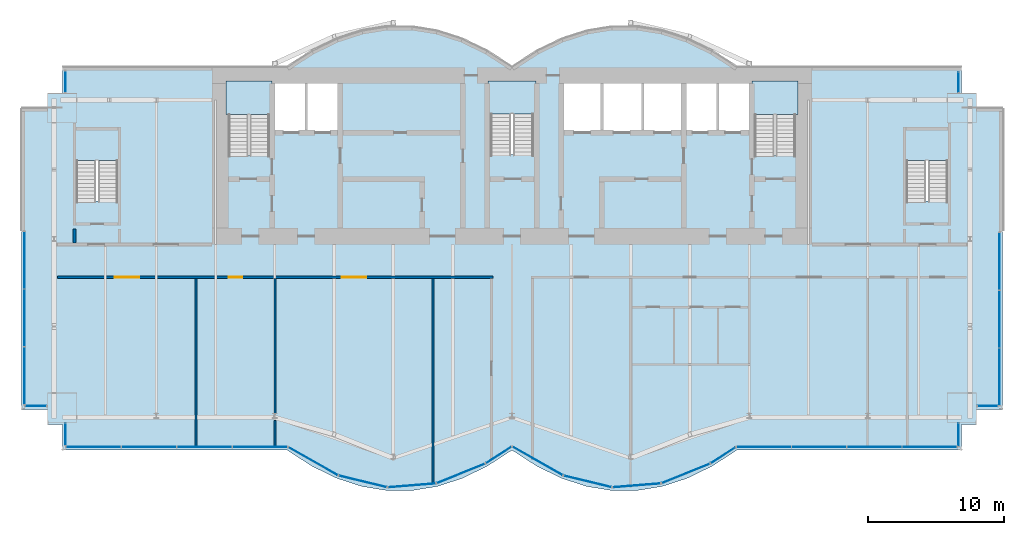
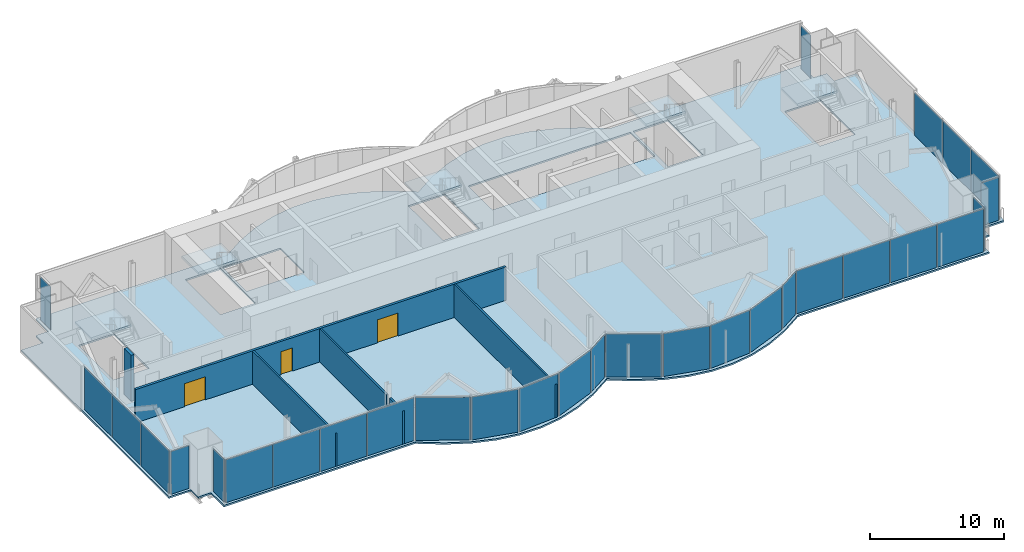
# One storey, part 12 of 19: 30 plates, 6 slabs, 6 walls, 3 doors, 3 openings, 17 elements without a shape of their own.
"""IFC4 building model written with IfcOpenShell, lengths in metres."""

import ifcopenshell
import ifcopenshell.guid

model = None  # the IFC model being written
_history = None  # IfcOwnerHistory: only IFC2X3 demands one
_inside = {}  # id of a spatial element -> (the spatial element, [elements in it])
_under = {}  # id of a project, library or spatial element -> (it, [spatial elements below it])
_declared = {}  # id of a project -> (the project, [libraries it declares])
_typed = {}  # id of a type object -> (the type object, [elements of that type])
_made_of = {}  # id of a material, layer set ... -> (it, [elements and type objects made of it])


def new_model(schema):
    """Start an empty IFC model of exactly this schema.

    Asked for "IFC4X3", IfcOpenShell would pick the latest addendum, in which some entities
    have other attributes; the version numbers below select the first issue.
    IFC2X3 requires an IfcOwnerHistory on every rooted entity: one is made here for all.
    """
    global model, _history
    if schema == "IFC4X3":
        model = ifcopenshell.file(schema_version=(4, 3, 0, 0))
    else:
        model = ifcopenshell.file(schema=schema)
    _inside.clear()
    _under.clear()
    _declared.clear()
    _typed.clear()
    _made_of.clear()
    _history = None
    if model.schema == "IFC2X3":
        org = make("IfcOrganization", Name="unknown")
        user = make(
            "IfcPersonAndOrganization",
            ThePerson=make("IfcPerson", FamilyName="unknown"),
            TheOrganization=org,
        )
        app = make(
            "IfcApplication",
            ApplicationDeveloper=org,
            Version="unknown",
            ApplicationFullName="unknown",
            ApplicationIdentifier="unknown",
        )
        _history = make(
            "IfcOwnerHistory",
            OwningUser=user,
            OwningApplication=app,
            ChangeAction="ADDED",
            CreationDate=0,
        )
    return model


def make(cls, **values):
    """One entity of the class cls with the attributes given. An attribute that is None is left unset."""
    return model.create_entity(
        cls, **{name: value for name, value in values.items() if value is not None}
    )


def rooted(cls, **values):
    """An entity with a GlobalId (a new one), such as an element, a storey or a relation."""
    return make(cls, GlobalId=ifcopenshell.guid.new(), OwnerHistory=_history, **values)


def si_unit(unit_type, name, prefix=None):
    """IfcSIUnit, for example si_unit("LENGTHUNIT", "METRE", prefix="MILLI")."""
    return make("IfcSIUnit", UnitType=unit_type, Prefix=prefix, Name=name)


def assignment(units):
    """IfcUnitAssignment: the units of a project."""
    return None if units is None else make("IfcUnitAssignment", Units=units)


def point(xyz):
    """IfcCartesianPoint."""
    return None if xyz is None else make("IfcCartesianPoint", Coordinates=xyz)


def direction(xyz):
    """IfcDirection."""
    return None if xyz is None else make("IfcDirection", DirectionRatios=xyz)


def frame(location, z_axis=None, x_axis=None):
    """IfcAxis2Placement3D, a coordinate frame: its origin and axes. An axis left out is left unset."""
    return make(
        "IfcAxis2Placement3D",
        Location=point(location),
        Axis=direction(z_axis),
        RefDirection=direction(x_axis),
    )


def frame_2d(location, x_axis=None):
    """IfcAxis2Placement2D, a coordinate frame in the plane: its origin and x axis."""
    return make(
        "IfcAxis2Placement2D", Location=point(location), RefDirection=direction(x_axis)
    )


def origin():
    """The frame at (0, 0, 0) with its axes left unset."""
    return frame((0.0, 0.0, 0.0))


def origin_2d():
    """The frame at (0, 0) in the plane with its x axis left unset."""
    return frame_2d((0.0, 0.0))


def place(relative_to, where):
    """IfcLocalPlacement: puts the frame where relative to a parent placement (None: the world)."""
    return make(
        "IfcLocalPlacement", PlacementRelTo=relative_to, RelativePlacement=where
    )


def context(
    kind, dimensions, precision=None, world=None, true_north=None, identifier=None
):
    """IfcGeometricRepresentationContext, for example the 3D "Model" context."""
    return make(
        "IfcGeometricRepresentationContext",
        ContextIdentifier=identifier,
        ContextType=kind,
        CoordinateSpaceDimension=dimensions,
        Precision=precision,
        WorldCoordinateSystem=world,
        TrueNorth=true_north,
    )


def subcontext(parent, identifier, kind, view, scale=None):
    """IfcGeometricRepresentationSubContext, for example "Body" below "Model"."""
    return make(
        "IfcGeometricRepresentationSubContext",
        ContextIdentifier=identifier,
        ContextType=kind,
        ParentContext=parent,
        TargetScale=scale,
        TargetView=view,
    )


def project(units=None, contexts=None):
    """IfcProject with its units and contexts."""
    return rooted(
        "IfcProject",
        Name="project",
        RepresentationContexts=contexts,
        UnitsInContext=assignment(units),
    )


def spatial(cls, under=None, at=None, **own):
    """A site, building, storey or space (cls), placed at a placement, below another one or the project."""
    s = rooted(cls, ObjectPlacement=at, **own)
    if under is not None:
        _under.setdefault(under.id(), (under, []))[1].append(s)
    return s


def polyline(points):
    """IfcPolyline through the points."""
    return make("IfcPolyline", Points=[point(p) for p in points])


def profile(cls, at=None, kind="AREA", **sizes):
    """A parametric profile (cls). Its sizes go by their IFC names, for example OverallWidth=200.0."""
    return make(cls, ProfileType=kind, Position=at, **sizes)


def rectangle(**sizes):
    """IfcRectangleProfileDef."""
    return profile("IfcRectangleProfileDef", **sizes)


def outline(outer, holes=None, kind="AREA"):
    """IfcArbitraryClosedProfileDef: a profile drawn as a closed curve; with holes, ...WithVoids."""
    if holes is None:
        return make("IfcArbitraryClosedProfileDef", ProfileType=kind, OuterCurve=outer)
    return make(
        "IfcArbitraryProfileDefWithVoids",
        ProfileType=kind,
        OuterCurve=outer,
        InnerCurves=holes,
    )


def extrude(swept, where, along, depth):
    """IfcExtrudedAreaSolid: the profile swept, set in the frame where, extruded along a direction by depth."""
    return make(
        "IfcExtrudedAreaSolid",
        SweptArea=swept,
        Position=where,
        ExtrudedDirection=direction(along),
        Depth=depth,
    )


def shape(context_of_items, identifier, shape_type, items):
    """IfcShapeRepresentation: the items that make up one representation, for example the "Body"."""
    return make(
        "IfcShapeRepresentation",
        ContextOfItems=context_of_items,
        RepresentationIdentifier=identifier,
        RepresentationType=shape_type,
        Items=items,
    )


def material(Name=None, Category=None):
    """IfcMaterial."""
    return make("IfcMaterial", Name=Name, Category=Category)


def layer(
    of_material, thickness, ventilated=None, Name=None, Category=None, Priority=None
):
    """IfcMaterialLayer: one layer of a wall or slab, of a material (None: an air gap)."""
    return make(
        "IfcMaterialLayer",
        Material=of_material,
        LayerThickness=thickness,
        IsVentilated=ventilated,
        Name=Name,
        Category=Category,
        Priority=Priority,
    )


def layer_set(layers, Name=None):
    """IfcMaterialLayerSet."""
    return make("IfcMaterialLayerSet", MaterialLayers=layers, LayerSetName=Name)


def made_of(thing, what):
    """Note that an element or type object is made of a material, layer set ...; save() writes the relation."""
    if what is not None:
        _made_of.setdefault(what.id(), (what, []))[1].append(thing)
    return thing


def type_object(cls, material=None, **own):
    """A type object (cls), such as IfcWallType, which elements share."""
    return made_of(rooted(cls, **own), material)


def element(
    cls,
    number,
    at=None,
    inside=None,
    cuts=None,
    type_object=None,
    material=None,
    context=None,
    identifier="Body",
    shape_type=None,
    held_by="IfcProductDefinitionShape",
    body=None,
    shapes=None,
    **own,
):
    """One element of the class cls, such as IfcWall. Its Tag is "e" and its number.

    at: its placement. inside: the storey or other place that contains it. cuts: it is an
    opening in that element (IfcRelVoidsElement). A single representation is given by context,
    identifier, shape_type and body (its items); several are given by shapes. held_by: the class
    of the entity that holds the representations. save() writes the other relations.
    """
    e = rooted(cls, Tag="e%d" % number, ObjectPlacement=at, **own)
    if body is not None:
        shapes = [shape(context, identifier, shape_type, body)]
    if shapes is not None:
        e.Representation = make(held_by, Representations=shapes)
    if inside is not None:
        _inside.setdefault(inside.id(), (inside, []))[1].append(e)
    if cuts is not None:
        rooted(
            "IfcRelVoidsElement", RelatingBuildingElement=cuts, RelatedOpeningElement=e
        )
    if type_object is not None:
        _typed.setdefault(type_object.id(), (type_object, []))[1].append(e)
    return made_of(e, material)


def fill(opening, filler):
    """IfcRelFillsElement: the door or window that sits in an opening."""
    return rooted(
        "IfcRelFillsElement",
        RelatingOpeningElement=opening,
        RelatedBuildingElement=filler,
    )


def aggregate(whole, parts):
    """IfcRelAggregates: a whole, such as a stair, and the parts it consists of."""
    return rooted("IfcRelAggregates", RelatingObject=whole, RelatedObjects=parts)


def save(model, path):
    """Write the relations noted so far, then the file.

    IfcRelAggregates (storeys below a building ...), IfcRelContainedInSpatialStructure (elements
    in a storey), IfcRelDefinesByType, IfcRelAssociatesMaterial and IfcRelDeclares: one each for
    every whole, place, type object, material and project.
    """
    for whole, parts in _under.values():
        aggregate(whole, parts)
    for where, things in _inside.values():
        rooted(
            "IfcRelContainedInSpatialStructure",
            RelatedElements=things,
            RelatingStructure=where,
        )
    for kind, things in _typed.values():
        rooted("IfcRelDefinesByType", RelatedObjects=things, RelatingType=kind)
    for what, things in _made_of.values():
        rooted("IfcRelAssociatesMaterial", RelatedObjects=things, RelatingMaterial=what)
    for by, libraries in _declared.values():
        rooted("IfcRelDeclares", RelatingContext=by, RelatedDefinitions=libraries)
    model.write(path)


model = new_model("IFC4")

# Units and contexts
model_context = context("Model", 3, precision=1e-05, world=origin(), true_north=direction((0.0, 1.0)))
body_context = subcontext(model_context, "Body", "Model", "MODEL_VIEW")
ifc_project = project(units=[si_unit("LENGTHUNIT", "METRE"), si_unit("AREAUNIT", "SQUARE_METRE"), si_unit("VOLUMEUNIT", "CUBIC_METRE"), si_unit("PLANEANGLEUNIT", "RADIAN"), si_unit("MASSUNIT", "GRAM", prefix="KILO")], contexts=[model_context])

# Site, building, storey
site_placement = place(None, origin())
site = spatial("IfcSite", under=ifc_project, at=site_placement, CompositionType="ELEMENT")
building_placement = place(site_placement, origin())
building = spatial("IfcBuilding", under=site, at=building_placement, Name="Bicima Exchange Tower", CompositionType="ELEMENT")
storey_placement = place(building_placement, frame((0.0, 0.0, 279.199951171875)))
storey = spatial("IfcBuildingStorey", under=building, at=storey_placement, Name="L63", CompositionType="ELEMENT", Elevation=279.199951171875)

# Slab
ifc_material_1 = material(Name="Concrete C40/50", Category="concrete")
ifc_layer_1 = layer(ifc_material_1, 0.14990234375)
ifc_layer_set_1 = layer_set([ifc_layer_1], Name="Concrete C40/50")
slab_type_1 = type_object("IfcSlabType", Name="Composite floor slab 150", PredefinedType="FLOOR", material=ifc_layer_set_1)
slab_1_placement = place(storey_placement, frame((0.0, 0.0, -0.14990234375)))
element("IfcSlab", 1, at=slab_1_placement, inside=storey, type_object=slab_type_1, Name="Floor slab", PredefinedType="FLOOR", context=body_context, shape_type="SweptSolid", body=[
    extrude(outline(polyline([(-36.0, -25.092041015625), (-36.0, -3.0), (-34.10009765625, -3.0), (-34.10009765625, -1.89990234375), (-33.0, -1.89990234375), (-33.0, 0.0), (-16.5, 0.0), (-14.666748046875, 1.185302734375), (-12.833251953125, 2.07421875), (-11.0, 2.666748046875), (-9.166748046875, 2.962890625), (-7.333251953125, 2.962890625), (-5.5, 2.666748046875), (-3.666748046875, 2.07421875), (-1.833251953125, 1.185302734375), (0.0, 0.0), (1.833251953125, 1.185302734375), (3.666748046875, 2.07421875), (5.5, 2.666748046875), (7.333251953125, 2.962890625), (9.166748046875, 2.962890625), (11.0, 2.666748046875), (12.833251953125, 2.07421875), (14.666748046875, 1.185302734375), (16.5, 0.0), (33.0, 0.0), (33.0, -1.89990234375), (34.10009765625, -1.89990234375), (34.10009765625, -3.0), (36.0, -3.0), (36.0, -25.092041015625), (34.10009765625, -25.092041015625), (34.10009765625, -26.19189453125), (33.0, -26.19189453125), (33.0, -28.092041015625), (16.5, -28.092041015625), (14.666748046875, -29.277099609375), (12.833251953125, -30.166015625), (11.0, -30.7587890625), (9.166748046875, -31.054931640625), (7.333251953125, -31.054931640625), (5.5, -30.7587890625), (3.666748046875, -30.166015625), (1.833251953125, -29.277099609375), (0.0, -28.092041015625), (-1.833251953125, -29.277099609375), (-3.666748046875, -30.166015625), (-5.5, -30.7587890625), (-7.333251953125, -31.054931640625), (-9.166748046875, -31.054931640625), (-11.0, -30.7587890625), (-12.833251953125, -30.166015625), (-14.666748046875, -29.277099609375), (-16.5, -28.092041015625), (-33.0, -28.092041015625), (-33.0, -26.19189453125), (-34.10009765625, -26.19189453125), (-34.10009765625, -25.092041015625), (-36.0, -25.092041015625)]), holes=[polyline([(-28.925048828125, -9.824951171875), (-28.925048828125, -4.625), (-31.97509765625, -4.625), (-31.97509765625, -9.824951171875), (-28.925048828125, -9.824951171875)]), polyline([(-20.800048828125, -6.449951171875), (-17.800048828125, -6.449951171875), (-17.800048828125, -1.199951171875), (-20.800048828125, -1.199951171875), (-20.800048828125, -6.449951171875)]), polyline([(-1.574951171875, -6.39990234375), (1.574951171875, -6.39990234375), (1.574951171875, -1.199951171875), (-1.574951171875, -1.199951171875), (-1.574951171875, -6.39990234375)]), polyline([(-12.60009765625, -1.199951171875), (-15.10009765625, -1.199951171875), (-17.60009765625, -1.199951171875), (-17.60009765625, -4.800048828125), (-15.10009765625, -4.800048828125), (-12.60009765625, -4.800048828125), (-12.60009765625, -1.199951171875)]), polyline([(3.60009765625, -4.800048828125), (6.60009765625, -4.800048828125), (9.60009765625, -4.800048828125), (12.60009765625, -4.800048828125), (15.10009765625, -4.800048828125), (17.60009765625, -4.800048828125), (17.60009765625, -1.199951171875), (15.10009765625, -1.199951171875), (12.60009765625, -1.199951171875), (9.60009765625, -1.199951171875), (6.60009765625, -1.199951171875), (3.60009765625, -1.199951171875), (3.60009765625, -4.800048828125)]), polyline([(31.97509765625, -9.824951171875), (31.97509765625, -4.625), (28.925048828125, -4.625), (28.925048828125, -9.824951171875), (31.97509765625, -9.824951171875)]), polyline([(17.800048828125, -6.449951171875), (20.800048828125, -6.449951171875), (20.800048828125, -1.199951171875), (17.800048828125, -1.199951171875), (17.800048828125, -6.449951171875)])]), origin(), (0.0, 0.0, 1.0), 0.14990234375),
])

# Curtain wall, plate
ifc_material_2 = material(Name="Anodised bronze aluminium", Category="aluminium")
curtain_wall_type_1 = type_object("IfcCurtainWallType", Name="End face glass wall", PredefinedType="NOTDEFINED", material=ifc_material_2)
curtain_wall_1_placement = place(storey_placement, origin())
curtain_wall_1 = element("IfcCurtainWall", 2, at=curtain_wall_1_placement, inside=storey, type_object=curtain_wall_type_1, Name="End face glass wall L63 run 2", PredefinedType="NOTDEFINED")
ifc_material_3 = material(Name="Bronze tinted glass", Category="glass")
ifc_layer_2 = layer(ifc_material_3, 0.031982421875)
ifc_layer_set_2 = layer_set([ifc_layer_2], Name="Bronze tinted glass")
plate_type_1 = type_object("IfcPlateType", Name="End face glass wall glass panel 32", PredefinedType="CURTAIN_PANEL", material=ifc_layer_set_2)
plate_1_placement = place(storey_placement, frame((-35.77001953125, -14.150390625, 0.0), z_axis=(0.0, 0.0, 1.0), x_axis=(0.0, -1.0, 0.0)))
plate_1 = element("IfcPlate", 3, at=plate_1_placement, type_object=plate_type_1, Name="End face glass wall panel 1.1", PredefinedType="CURTAIN_PANEL", context=body_context, shape_type="SweptSolid", body=[
    extrude(rectangle(XDim=4.1806640625, YDim=0.031982421875, at=origin_2d()), origin(), (0.0, 0.0, 1.0), 3.909912109375),
])

curtain_wall_2_placement = place(storey_placement, origin())
curtain_wall_2 = element("IfcCurtainWall", 4, at=curtain_wall_2_placement, inside=storey, type_object=curtain_wall_type_1, Name="End face glass wall L63 run 19", PredefinedType="NOTDEFINED")
plate_2_placement = place(storey_placement, frame((35.77001953125, -14.230224609375, 0.0), z_axis=(0.0, 0.0, 1.0), x_axis=(0.0, 1.0, 0.0)))
plate_2 = element("IfcPlate", 5, at=plate_2_placement, type_object=plate_type_1, Name="End face glass wall panel 3.1", PredefinedType="CURTAIN_PANEL", context=body_context, shape_type="SweptSolid", body=[
    extrude(rectangle(XDim=4.1806640625, YDim=0.031982421875, at=origin_2d()), origin(), (0.0, 0.0, 1.0), 3.909912109375),
])

# Plate
ifc_material_4 = material(Name="Bronze anodised aluminium", Category="aluminium")
ifc_layer_3 = layer(ifc_material_4, 0.031982421875)
ifc_layer_set_3 = layer_set([ifc_layer_3], Name="Bronze anodised aluminium")
plate_type_2 = type_object("IfcPlateType", Name="End face glass wall spandrel panel 32", PredefinedType="CURTAIN_PANEL", material=ifc_layer_set_3)
plate_3_placement = place(storey_placement, frame((-35.77001953125, -18.39111328125, 0.0), z_axis=(0.0, 0.0, 1.0), x_axis=(0.0, -1.0, 0.0)))
plate_3 = element("IfcPlate", 6, at=plate_3_placement, type_object=plate_type_2, Name="End face spandrel wall panel 2.1", PredefinedType="CURTAIN_PANEL", context=body_context, shape_type="SweptSolid", body=[
    extrude(rectangle(XDim=4.1806640625, YDim=0.031982421875, at=origin_2d()), origin(), (0.0, 0.0, 1.0), 3.909912109375),
])

plate_4_placement = place(storey_placement, frame((-35.77001953125, -22.631591796875, 0.0), z_axis=(0.0, 0.0, 1.0), x_axis=(0.0, -1.0, 0.0)))
plate_4 = element("IfcPlate", 7, at=plate_4_placement, type_object=plate_type_2, Name="End face spandrel wall panel 3.1", PredefinedType="CURTAIN_PANEL", context=body_context, shape_type="SweptSolid", body=[
    extrude(rectangle(XDim=4.1806640625, YDim=0.031982421875, at=origin_2d()), origin(), (0.0, 0.0, 1.0), 3.909912109375),
])

aggregate(curtain_wall_1, [plate_1, plate_3, plate_4])

plate_5_placement = place(storey_placement, frame((35.77001953125, -22.711669921875, 0.0), z_axis=(0.0, 0.0, 1.0), x_axis=(0.0, 1.0, 0.0)))
plate_5 = element("IfcPlate", 8, at=plate_5_placement, type_object=plate_type_2, Name="End face spandrel wall panel 1.1", PredefinedType="CURTAIN_PANEL", context=body_context, shape_type="SweptSolid", body=[
    extrude(rectangle(XDim=4.1806640625, YDim=0.031982421875, at=origin_2d()), origin(), (0.0, 0.0, 1.0), 3.909912109375),
])

plate_6_placement = place(storey_placement, frame((35.77001953125, -18.470947265625, 0.0), z_axis=(0.0, 0.0, 1.0), x_axis=(0.0, 1.0, 0.0)))
plate_6 = element("IfcPlate", 9, at=plate_6_placement, type_object=plate_type_2, Name="End face spandrel wall panel 2.1", PredefinedType="CURTAIN_PANEL", context=body_context, shape_type="SweptSolid", body=[
    extrude(rectangle(XDim=4.1806640625, YDim=0.031982421875, at=origin_2d()), origin(), (0.0, 0.0, 1.0), 3.909912109375),
])

aggregate(curtain_wall_2, [plate_5, plate_6, plate_2])

# Curtain wall, plate
curtain_wall_type_2 = type_object("IfcCurtainWallType", Name="Front glass wall", PredefinedType="NOTDEFINED", material=ifc_material_2)
curtain_wall_3_placement = place(storey_placement, origin())
curtain_wall_3 = element("IfcCurtainWall", 10, at=curtain_wall_3_placement, inside=storey, type_object=curtain_wall_type_2, Name="Front glass wall L63 run 1", PredefinedType="NOTDEFINED")
ifc_layer_4 = layer(ifc_material_3, 0.031982421875)
ifc_layer_set_4 = layer_set([ifc_layer_4], Name="Bronze tinted glass")
plate_type_3 = type_object("IfcPlateType", Name="Front glass wall glass panel 32", PredefinedType="CURTAIN_PANEL", material=ifc_layer_set_4)
plate_7_placement = place(storey_placement, frame((-32.77001953125, -1.06494140625, 0.0), z_axis=(0.0, 0.0, 1.0), x_axis=(0.0, -1.0, 0.0)))
plate_7 = element("IfcPlate", 11, at=plate_7_placement, type_object=plate_type_3, Name="Front glass wall panel 1.1", PredefinedType="CURTAIN_PANEL", context=body_context, shape_type="SweptSolid", body=[
    extrude(rectangle(XDim=1.550048828125, YDim=0.031982421875, at=origin_2d()), origin(), (0.0, 0.0, 1.0), 3.909912109375),
])
aggregate(curtain_wall_3, [plate_7])

curtain_wall_4_placement = place(storey_placement, origin())
curtain_wall_4 = element("IfcCurtainWall", 12, at=curtain_wall_4_placement, inside=storey, type_object=curtain_wall_type_2, Name="Front glass wall L63 run 3", PredefinedType="NOTDEFINED")
plate_8_placement = place(storey_placement, frame((-34.93505859375, -24.862060546875, 0.0), z_axis=(0.0, 0.0, 1.0), x_axis=(1.0, 0.0, 0.0)))
plate_8 = element("IfcPlate", 13, at=plate_8_placement, type_object=plate_type_3, Name="Front glass wall panel 1.1", PredefinedType="CURTAIN_PANEL", context=body_context, shape_type="SweptSolid", body=[
    extrude(rectangle(XDim=1.550048828125, YDim=0.031982421875, at=origin_2d()), origin(), (0.0, 0.0, 1.0), 3.909912109375),
])
aggregate(curtain_wall_4, [plate_8])

curtain_wall_5_placement = place(storey_placement, origin())
curtain_wall_5 = element("IfcCurtainWall", 14, at=curtain_wall_5_placement, inside=storey, type_object=curtain_wall_type_2, Name="Front glass wall L63 run 4", PredefinedType="NOTDEFINED")
plate_9_placement = place(storey_placement, frame((-32.77001953125, -26.926025390625, 0.0), z_axis=(0.0, 0.0, 1.0), x_axis=(0.0, -1.0, 0.0)))
plate_9 = element("IfcPlate", 15, at=plate_9_placement, type_object=plate_type_3, Name="Front glass wall panel 1.1", PredefinedType="CURTAIN_PANEL", context=body_context, shape_type="SweptSolid", body=[
    extrude(rectangle(XDim=1.592041015625, YDim=0.031982421875, at=origin_2d()), origin(), (0.0, 0.0, 1.0), 3.909912109375),
])
aggregate(curtain_wall_5, [plate_9])

# Curtain wall, plates
curtain_wall_6_placement = place(storey_placement, origin())
curtain_wall_6 = element("IfcCurtainWall", 16, at=curtain_wall_6_placement, inside=storey, type_object=curtain_wall_type_2, Name="Front glass wall L63 run 5", PredefinedType="NOTDEFINED")
plate_10_placement = place(storey_placement, frame((-30.705322265625, -27.862060546875, 0.0), z_axis=(0.0, 0.0, 1.0), x_axis=(1.0, 0.0, 0.0)))
plate_10 = element("IfcPlate", 17, at=plate_10_placement, type_object=plate_type_3, Name="Front glass wall panel 1.1", PredefinedType="CURTAIN_PANEL", context=body_context, shape_type="SweptSolid", body=[
    extrude(rectangle(XDim=4.009521484375, YDim=0.031982421875, at=origin_2d()), origin(), (0.0, 0.0, 1.0), 3.909912109375),
])
plate_11_placement = place(storey_placement, frame((-22.56640625, -27.862060546875, 0.0), z_axis=(0.0, 0.0, 1.0), x_axis=(1.0, 0.0, 0.0)))
plate_11 = element("IfcPlate", 18, at=plate_11_placement, type_object=plate_type_3, Name="Front glass wall panel 3.1", PredefinedType="CURTAIN_PANEL", context=body_context, shape_type="SweptSolid", body=[
    extrude(rectangle(XDim=4.009521484375, YDim=0.031982421875, at=origin_2d()), origin(), (0.0, 0.0, 1.0), 3.909912109375),
])
plate_12_placement = place(storey_placement, frame((-18.496826171875, -27.862060546875, 0.0), z_axis=(0.0, 0.0, 1.0), x_axis=(1.0, 0.0, 0.0)))
plate_12 = element("IfcPlate", 19, at=plate_12_placement, type_object=plate_type_3, Name="Front glass wall panel 4.1", PredefinedType="CURTAIN_PANEL", context=body_context, shape_type="SweptSolid", body=[
    extrude(rectangle(XDim=4.009521484375, YDim=0.031982421875, at=origin_2d()), origin(), (0.0, 0.0, 1.0), 3.909912109375),
])

curtain_wall_7_placement = place(storey_placement, origin())
curtain_wall_7 = element("IfcCurtainWall", 20, at=curtain_wall_7_placement, inside=storey, type_object=curtain_wall_type_2, Name="Front glass wall L63 run 6", PredefinedType="NOTDEFINED")
plate_13_placement = place(storey_placement, frame((-14.589599609375, -28.906982421875, 0.0), z_axis=(0.0, 0.0, 1.0), x_axis=(0.869805110681, -0.493395449343, 0.0)))
plate_13 = element("IfcPlate", 21, at=plate_13_placement, type_object=plate_type_3, Name="Front glass wall panel 1.1", PredefinedType="CURTAIN_PANEL", context=body_context, shape_type="SweptSolid", body=[
    extrude(rectangle(XDim=4.1162109375, YDim=0.031982421875, at=origin_2d()), origin(), (0.0, 0.0, 1.0), 3.909912109375),
])
plate_14_placement = place(storey_placement, frame((-10.94775390625, -30.388671875, 0.0), z_axis=(0.0, 0.0, 1.0), x_axis=(0.971830343553, -0.235681529503, 0.0)))
plate_14 = element("IfcPlate", 22, at=plate_14_placement, type_object=plate_type_3, Name="Front glass wall panel 1.1", PredefinedType="CURTAIN_PANEL", context=body_context, shape_type="SweptSolid", body=[
    extrude(rectangle(XDim=3.583251953125, YDim=0.031982421875, at=origin_2d()), origin(), (0.0, 0.0, 1.0), 3.909912109375),
])
plate_15_placement = place(storey_placement, frame((-3.750244140625, -29.805419921875, 0.0), z_axis=(0.0, 0.0, 1.0), x_axis=(0.92714396679, 0.374705304, 0.0)))
plate_15 = element("IfcPlate", 23, at=plate_15_placement, type_object=plate_type_3, Name="Front glass wall panel 1.1", PredefinedType="CURTAIN_PANEL", context=body_context, shape_type="SweptSolid", body=[
    extrude(rectangle(XDim=3.771240234375, YDim=0.031982421875, at=origin_2d()), origin(), (0.0, 0.0, 1.0), 3.909912109375),
])
plate_16_placement = place(storey_placement, frame((-0.97314453125, -28.447265625, 0.0), z_axis=(0.0, 0.0, 1.0), x_axis=(0.839798994301, 0.542897457326, 0.0)))
plate_16 = element("IfcPlate", 24, at=plate_16_placement, type_object=plate_type_3, Name="Front glass wall panel 1.1", PredefinedType="CURTAIN_PANEL", context=body_context, shape_type="SweptSolid", body=[
    extrude(rectangle(XDim=2.197509765625, YDim=0.031982421875, at=origin_2d()), origin(), (0.0, 0.0, 1.0), 3.909912109375),
])

curtain_wall_8_placement = place(storey_placement, origin())
curtain_wall_8 = element("IfcCurtainWall", 25, at=curtain_wall_8_placement, inside=storey, type_object=curtain_wall_type_2, Name="Front glass wall L63 run 11", PredefinedType="NOTDEFINED")
plate_17_placement = place(storey_placement, frame((1.876220703125, -28.88525390625, 0.0), z_axis=(0.0, 0.0, 1.0), x_axis=(0.869274147378, -0.494330311331, 0.0)))
plate_17 = element("IfcPlate", 26, at=plate_17_placement, type_object=plate_type_3, Name="Front glass wall panel 1.1", PredefinedType="CURTAIN_PANEL", context=body_context, shape_type="SweptSolid", body=[
    extrude(rectangle(XDim=4.197021484375, YDim=0.031982421875, at=origin_2d()), origin(), (0.0, 0.0, 1.0), 3.909912109375),
])
plate_18_placement = place(storey_placement, frame((12.749755859375, -29.805419921875, 0.0), z_axis=(0.0, 0.0, 1.0), x_axis=(0.92714396679, 0.374705304, 0.0)))
plate_18 = element("IfcPlate", 27, at=plate_18_placement, type_object=plate_type_3, Name="Front glass wall panel 1.1", PredefinedType="CURTAIN_PANEL", context=body_context, shape_type="SweptSolid", body=[
    extrude(rectangle(XDim=3.771240234375, YDim=0.031982421875, at=origin_2d()), origin(), (0.0, 0.0, 1.0), 3.909912109375),
])
plate_19_placement = place(storey_placement, frame((15.492919921875, -28.46923828125, 0.0), z_axis=(0.0, 0.0, 1.0), x_axis=(0.839791413941, 0.542909183079, 0.0)))
plate_19 = element("IfcPlate", 28, at=plate_19_placement, type_object=plate_type_3, Name="Front glass wall panel 1.1", PredefinedType="CURTAIN_PANEL", context=body_context, shape_type="SweptSolid", body=[
    extrude(rectangle(XDim=2.11669921875, YDim=0.031982421875, at=origin_2d()), origin(), (0.0, 0.0, 1.0), 3.909912109375),
])

curtain_wall_9_placement = place(storey_placement, origin())
curtain_wall_9 = element("IfcCurtainWall", 29, at=curtain_wall_9_placement, inside=storey, type_object=curtain_wall_type_2, Name="Front glass wall L63 run 16", PredefinedType="NOTDEFINED")
plate_20_placement = place(storey_placement, frame((18.48681640625, -27.862060546875, 0.0), z_axis=(0.0, 0.0, 1.0), x_axis=(1.0, 0.0, 0.0)))
plate_20 = element("IfcPlate", 30, at=plate_20_placement, type_object=plate_type_3, Name="Front glass wall panel 1.1", PredefinedType="CURTAIN_PANEL", context=body_context, shape_type="SweptSolid", body=[
    extrude(rectangle(XDim=3.989501953125, YDim=0.031982421875, at=origin_2d()), origin(), (0.0, 0.0, 1.0), 3.909912109375),
])
plate_21_placement = place(storey_placement, frame((22.536376953125, -27.862060546875, 0.0), z_axis=(0.0, 0.0, 1.0), x_axis=(1.0, 0.0, 0.0)))
plate_21 = element("IfcPlate", 31, at=plate_21_placement, type_object=plate_type_3, Name="Front glass wall panel 2.1", PredefinedType="CURTAIN_PANEL", context=body_context, shape_type="SweptSolid", body=[
    extrude(rectangle(XDim=3.989501953125, YDim=0.031982421875, at=origin_2d()), origin(), (0.0, 0.0, 1.0), 3.909912109375),
])
plate_22_placement = place(storey_placement, frame((30.63525390625, -27.862060546875, 0.0), z_axis=(0.0, 0.0, 1.0), x_axis=(1.0, 0.0, 0.0)))
plate_22 = element("IfcPlate", 32, at=plate_22_placement, type_object=plate_type_3, Name="Front glass wall panel 4.1", PredefinedType="CURTAIN_PANEL", context=body_context, shape_type="SweptSolid", body=[
    extrude(rectangle(XDim=3.989501953125, YDim=0.031982421875, at=origin_2d()), origin(), (0.0, 0.0, 1.0), 3.909912109375),
])

# Curtain wall, plate
curtain_wall_10_placement = place(storey_placement, origin())
curtain_wall_10 = element("IfcCurtainWall", 33, at=curtain_wall_10_placement, inside=storey, type_object=curtain_wall_type_2, Name="Front glass wall L63 run 17", PredefinedType="NOTDEFINED")
plate_23_placement = place(storey_placement, frame((32.77001953125, -26.966064453125, 0.0), z_axis=(0.0, 0.0, 1.0), x_axis=(0.0, 1.0, 0.0)))
plate_23 = element("IfcPlate", 34, at=plate_23_placement, type_object=plate_type_3, Name="Front glass wall panel 1.1", PredefinedType="CURTAIN_PANEL", context=body_context, shape_type="SweptSolid", body=[
    extrude(rectangle(XDim=1.672119140625, YDim=0.031982421875, at=origin_2d()), origin(), (0.0, 0.0, 1.0), 3.909912109375),
])
aggregate(curtain_wall_10, [plate_23])

curtain_wall_11_placement = place(storey_placement, origin())
curtain_wall_11 = element("IfcCurtainWall", 35, at=curtain_wall_11_placement, inside=storey, type_object=curtain_wall_type_2, Name="Front glass wall L63 run 18", PredefinedType="NOTDEFINED")
plate_24_placement = place(storey_placement, frame((34.89501953125, -24.862060546875, 0.0), z_axis=(0.0, 0.0, 1.0), x_axis=(1.0, 0.0, 0.0)))
plate_24 = element("IfcPlate", 36, at=plate_24_placement, type_object=plate_type_3, Name="Front glass wall panel 1.1", PredefinedType="CURTAIN_PANEL", context=body_context, shape_type="SweptSolid", body=[
    extrude(rectangle(XDim=1.469970703125, YDim=0.031982421875, at=origin_2d()), origin(), (0.0, 0.0, 1.0), 3.909912109375),
])
aggregate(curtain_wall_11, [plate_24])

curtain_wall_12_placement = place(storey_placement, origin())
curtain_wall_12 = element("IfcCurtainWall", 37, at=curtain_wall_12_placement, inside=storey, type_object=curtain_wall_type_2, Name="Front glass wall L63 run 20", PredefinedType="NOTDEFINED")
plate_25_placement = place(storey_placement, frame((32.77001953125, -1.10498046875, 0.0), z_axis=(0.0, 0.0, 1.0), x_axis=(0.0, 1.0, 0.0)))
plate_25 = element("IfcPlate", 38, at=plate_25_placement, type_object=plate_type_3, Name="Front glass wall panel 1.1", PredefinedType="CURTAIN_PANEL", context=body_context, shape_type="SweptSolid", body=[
    extrude(rectangle(XDim=1.469970703125, YDim=0.031982421875, at=origin_2d()), origin(), (0.0, 0.0, 1.0), 3.909912109375),
])
aggregate(curtain_wall_12, [plate_25])

# Plate
ifc_layer_5 = layer(ifc_material_4, 0.031982421875)
ifc_layer_set_5 = layer_set([ifc_layer_5], Name="Bronze anodised aluminium")
plate_type_4 = type_object("IfcPlateType", Name="Front glass wall spandrel panel 32", PredefinedType="CURTAIN_PANEL", material=ifc_layer_set_5)
plate_26_placement = place(storey_placement, frame((-26.6357421875, -27.862060546875, 0.0), z_axis=(0.0, 0.0, 1.0), x_axis=(1.0, 0.0, 0.0)))
plate_26 = element("IfcPlate", 39, at=plate_26_placement, type_object=plate_type_4, Name="Front spandrel wall panel 2.1", PredefinedType="CURTAIN_PANEL", context=body_context, shape_type="SweptSolid", body=[
    extrude(rectangle(XDim=4.009521484375, YDim=0.031982421875, at=origin_2d()), origin(), (0.0, 0.0, 1.0), 3.909912109375),
])

aggregate(curtain_wall_6, [plate_10, plate_26, plate_11, plate_12])

plate_27_placement = place(storey_placement, frame((-7.35107421875, -30.6796875, 0.0), z_axis=(0.0, 0.0, 1.0), x_axis=(0.99674744821, 0.080588612633, 0.0)))
plate_27 = element("IfcPlate", 40, at=plate_27_placement, type_object=plate_type_4, Name="Front spandrel wall panel 1.1", PredefinedType="CURTAIN_PANEL", context=body_context, shape_type="SweptSolid", body=[
    extrude(rectangle(XDim=3.486083984375, YDim=0.031982421875, at=origin_2d()), origin(), (0.0, 0.0, 1.0), 3.909912109375),
])

aggregate(curtain_wall_7, [plate_13, plate_14, plate_27, plate_15, plate_16])

plate_28_placement = place(storey_placement, frame((5.55224609375, -30.388671875, 0.0), z_axis=(0.0, 0.0, 1.0), x_axis=(0.971830343553, -0.235681529503, 0.0)))
plate_28 = element("IfcPlate", 41, at=plate_28_placement, type_object=plate_type_4, Name="Front spandrel wall panel 1.1", PredefinedType="CURTAIN_PANEL", context=body_context, shape_type="SweptSolid", body=[
    extrude(rectangle(XDim=3.583251953125, YDim=0.031982421875, at=origin_2d()), origin(), (0.0, 0.0, 1.0), 3.909912109375),
])

plate_29_placement = place(storey_placement, frame((9.14892578125, -30.6796875, 0.0), z_axis=(0.0, 0.0, 1.0), x_axis=(0.99674744821, 0.080588612633, 0.0)))
plate_29 = element("IfcPlate", 42, at=plate_29_placement, type_object=plate_type_4, Name="Front spandrel wall panel 1.1", PredefinedType="CURTAIN_PANEL", context=body_context, shape_type="SweptSolid", body=[
    extrude(rectangle(XDim=3.486083984375, YDim=0.031982421875, at=origin_2d()), origin(), (0.0, 0.0, 1.0), 3.909912109375),
])

aggregate(curtain_wall_8, [plate_17, plate_28, plate_29, plate_18, plate_19])

plate_30_placement = place(storey_placement, frame((26.585693359375, -27.862060546875, 0.0), z_axis=(0.0, 0.0, 1.0), x_axis=(1.0, 0.0, 0.0)))
plate_30 = element("IfcPlate", 43, at=plate_30_placement, type_object=plate_type_4, Name="Front spandrel wall panel 3.1", PredefinedType="CURTAIN_PANEL", context=body_context, shape_type="SweptSolid", body=[
    extrude(rectangle(XDim=3.989501953125, YDim=0.031982421875, at=origin_2d()), origin(), (0.0, 0.0, 1.0), 3.909912109375),
])

aggregate(curtain_wall_9, [plate_20, plate_21, plate_30, plate_22])

# Stair, slab
ifc_material_5 = material(Name="Concrete C50/60", Category="concrete")
stair_type_1 = type_object("IfcStairType", Name="Exit stair", PredefinedType="HALF_TURN_STAIR", material=ifc_material_5)
stair_1_placement = place(storey_placement, origin())
stair_1 = element("IfcStair", 44, at=stair_1_placement, inside=storey, type_object=stair_type_1, Name="L63 West exit stair", PredefinedType="HALF_TURN_STAIR")
ifc_layer_6 = layer(ifc_material_5, 0.199951171875)
ifc_layer_set_6 = layer_set([ifc_layer_6], Name="Concrete C50/60")
slab_type_2 = type_object("IfcSlabType", Name="Stair landing slab", PredefinedType="LANDING", material=ifc_layer_set_6)
slab_2_placement = place(storey_placement, frame((0.0, 0.0, 1.900146484375)))
slab_2 = element("IfcSlab", 45, at=slab_2_placement, type_object=slab_type_2, Name="ST-W landing 1", PredefinedType="LANDING", context=body_context, shape_type="SweptSolid", body=[
    extrude(outline(polyline([(-17.60009765625, -3.469970703125), (-17.60009765625, -1.0), (-21.0, -1.0), (-21.0, -3.469970703125), (-17.60009765625, -3.469970703125)])), origin(), (0.0, 0.0, 1.0), 0.199951171875),
])
aggregate(stair_1, [slab_2])

stair_type_2 = type_object("IfcStairType", Name="Exit stair 1500", PredefinedType="HALF_TURN_STAIR", material=ifc_material_5)
stair_2_placement = place(storey_placement, origin())
stair_2 = element("IfcStair", 46, at=stair_2_placement, inside=storey, type_object=stair_type_2, Name="L63 Central exit stair", PredefinedType="HALF_TURN_STAIR")
slab_3_placement = place(storey_placement, frame((0.0, 0.0, 1.900146484375)))
slab_3 = element("IfcSlab", 47, at=slab_3_placement, type_object=slab_type_2, Name="ST-C landing 1", PredefinedType="LANDING", context=body_context, shape_type="SweptSolid", body=[
    extrude(outline(polyline([(1.77490234375, -3.419921875), (1.77490234375, -1.0), (-1.77490234375, -1.0), (-1.77490234375, -3.419921875), (1.77490234375, -3.419921875)])), origin(), (0.0, 0.0, 1.0), 0.199951171875),
])
aggregate(stair_2, [slab_3])

stair_3_placement = place(storey_placement, origin())
stair_3 = element("IfcStair", 48, at=stair_3_placement, inside=storey, type_object=stair_type_1, Name="L63 East exit stair", PredefinedType="HALF_TURN_STAIR")
slab_4_placement = place(storey_placement, frame((0.0, 0.0, 1.900146484375)))
slab_4 = element("IfcSlab", 49, at=slab_4_placement, type_object=slab_type_2, Name="ST-E landing 1", PredefinedType="LANDING", context=body_context, shape_type="SweptSolid", body=[
    extrude(outline(polyline([(21.0, -3.469970703125), (21.0, -1.0), (17.60009765625, -1.0), (17.60009765625, -3.469970703125), (21.0, -3.469970703125)])), origin(), (0.0, 0.0, 1.0), 0.199951171875),
])
aggregate(stair_3, [slab_4])

stair_4_placement = place(storey_placement, origin())
stair_4 = element("IfcStair", 50, at=stair_4_placement, inside=storey, type_object=stair_type_1, Name="L63 West end exit stair", PredefinedType="HALF_TURN_STAIR")
slab_5_placement = place(storey_placement, frame((0.0, 0.0, 1.900146484375)))
slab_5 = element("IfcSlab", 51, at=slab_5_placement, type_object=slab_type_2, Name="ST-WW landing 1", PredefinedType="LANDING", context=body_context, shape_type="SweptSolid", body=[
    extrude(outline(polyline([(-28.72509765625, -6.844970703125), (-28.72509765625, -4.425048828125), (-32.175048828125, -4.425048828125), (-32.175048828125, -6.844970703125), (-28.72509765625, -6.844970703125)])), origin(), (0.0, 0.0, 1.0), 0.199951171875),
])
aggregate(stair_4, [slab_5])

stair_5_placement = place(storey_placement, origin())
stair_5 = element("IfcStair", 52, at=stair_5_placement, inside=storey, type_object=stair_type_1, Name="L63 East end exit stair", PredefinedType="HALF_TURN_STAIR")
slab_6_placement = place(storey_placement, frame((0.0, 0.0, 1.900146484375)))
slab_6 = element("IfcSlab", 53, at=slab_6_placement, type_object=slab_type_2, Name="ST-EE landing 1", PredefinedType="LANDING", context=body_context, shape_type="SweptSolid", body=[
    extrude(outline(polyline([(32.175048828125, -6.844970703125), (32.175048828125, -4.425048828125), (28.72509765625, -4.425048828125), (28.72509765625, -6.844970703125), (32.175048828125, -6.844970703125)])), origin(), (0.0, 0.0, 1.0), 0.199951171875),
])
aggregate(stair_5, [slab_6])

# Wall, openings, doors
ifc_material_6 = material(Name="Gypsum board partition")
ifc_layer_7 = layer(ifc_material_6, 0.199951171875)
ifc_layer_set_7 = layer_set([ifc_layer_7], Name="Gypsum board partition")
wall_type_1 = type_object("IfcWallType", Name="Fire-rated gypsum partition 200 EI60", PredefinedType="PARTITIONING", material=ifc_layer_set_7)
wall_1_placement = place(storey_placement, frame((-33.340087890625, -15.39990234375, 0.0), z_axis=(0.0, 0.0, 1.0), x_axis=(1.0, 0.0, 0.0)))
wall_1 = element("IfcWall", 54, at=wall_1_placement, inside=storey, type_object=wall_type_1, Name="partition wall 3", PredefinedType="PARTITIONING", context=body_context, shape_type="SweptSolid", body=[
    extrude(rectangle(XDim=31.940185546875, YDim=0.199951171875, at=frame_2d((15.97021484375, 0.0))), origin(), (0.0, 0.0, 1.0), 3.03955078125),
])
opening_1_placement = place(wall_1_placement, frame((4.199951171875, 0.0, 0.0)))
opening_1 = element("IfcOpeningElement", 55, at=opening_1_placement, cuts=wall_1, Name="Opening L63-007", PredefinedType="OPENING", context=body_context, shape_type="SweptSolid", body=[
    extrude(rectangle(XDim=1.800048828125, YDim=2.10009765625, at=frame_2d((0.89990234375, 1.050048828125))), frame((0.0, 0.11181640625, 0.0), z_axis=(0.0, -1.0, 0.0), x_axis=(1.0, 0.0, 0.0)), (0.0, 0.0, 1.0), 0.223876953125),
])
opening_2_placement = place(wall_1_placement, frame((12.5400390625, 0.0, 0.0)))
opening_2 = element("IfcOpeningElement", 56, at=opening_2_placement, cuts=wall_1, Name="Opening L63-008", PredefinedType="OPENING", context=body_context, shape_type="SweptSolid", body=[
    extrude(rectangle(XDim=1.0, YDim=2.10009765625, at=frame_2d((0.5, 1.050048828125))), frame((0.0, 0.11181640625, 0.0), z_axis=(0.0, -1.0, 0.0), x_axis=(1.0, 0.0, 0.0)), (0.0, 0.0, 1.0), 0.223876953125),
])
opening_3_placement = place(wall_1_placement, frame((20.840087890625, 0.0, 0.0)))
opening_3 = element("IfcOpeningElement", 57, at=opening_3_placement, cuts=wall_1, Name="Opening L63-009", PredefinedType="OPENING", context=body_context, shape_type="SweptSolid", body=[
    extrude(rectangle(XDim=1.800048828125, YDim=2.10009765625, at=frame_2d((0.89990234375, 1.050048828125))), frame((0.0, 0.11181640625, 0.0), z_axis=(0.0, -1.0, 0.0), x_axis=(1.0, 0.0, 0.0)), (0.0, 0.0, 1.0), 0.223876953125),
])
ifc_material_7 = material(Name="Steel fire door leaf", Category="steel")
door_type_1 = type_object("IfcDoorType", Name="Door 1000 swing FD30S", OperationType="SINGLE_SWING_LEFT", PredefinedType="DOOR", material=ifc_material_7)
door_1_placement = place(opening_2_placement, frame((1.0, 0.0, 0.0), z_axis=(0.0, 0.0, 1.0), x_axis=(-1.0, 0.0, 0.0)))
door_1 = element("IfcDoor", 58, at=door_1_placement, inside=storey, type_object=door_type_1, Name="Door", OperationType="SINGLE_SWING_RIGHT", OverallHeight=2.10009765625, OverallWidth=1.0, PredefinedType="DOOR", context=body_context, shape_type="SweptSolid", body=[
    extrude(rectangle(XDim=1.0, YDim=2.10009765625, at=frame_2d((0.5, 1.050048828125))), frame((0.0, 0.02490234375, 0.0), z_axis=(0.0, -1.0, 0.0), x_axis=(1.0, 0.0, 0.0)), (0.0, 0.0, 1.0), 0.050048828125),
])
fill(opening_2, door_1)
door_type_2 = type_object("IfcDoorType", Name="Door 1800 double swing FD30S", OperationType="DOUBLE_DOOR_SINGLE_SWING", PredefinedType="DOOR", material=ifc_material_7)
door_2_placement = place(opening_1_placement, origin())
door_2 = element("IfcDoor", 59, at=door_2_placement, inside=storey, type_object=door_type_2, Name="Door", OperationType="SINGLE_SWING_LEFT", OverallHeight=2.10009765625, OverallWidth=1.800048828125, PredefinedType="DOOR", context=body_context, shape_type="SweptSolid", body=[
    extrude(rectangle(XDim=1.800048828125, YDim=2.10009765625, at=frame_2d((0.89990234375, 1.050048828125))), frame((0.0, 0.02490234375, 0.0), z_axis=(0.0, -1.0, 0.0), x_axis=(1.0, 0.0, 0.0)), (0.0, 0.0, 1.0), 0.050048828125),
])
fill(opening_1, door_2)
door_3_placement = place(opening_3_placement, origin())
door_3 = element("IfcDoor", 60, at=door_3_placement, inside=storey, type_object=door_type_2, Name="Door", OperationType="SINGLE_SWING_LEFT", OverallHeight=2.10009765625, OverallWidth=1.800048828125, PredefinedType="DOOR", context=body_context, shape_type="SweptSolid", body=[
    extrude(rectangle(XDim=1.800048828125, YDim=2.10009765625, at=frame_2d((0.89990234375, 1.050048828125))), frame((0.0, 0.02490234375, 0.0), z_axis=(0.0, -1.0, 0.0), x_axis=(1.0, 0.0, 0.0)), (0.0, 0.0, 1.0), 0.050048828125),
])
fill(opening_3, door_3)

# Walls
ifc_layer_8 = layer(ifc_material_6, 0.14990234375)
ifc_layer_set_8 = layer_set([ifc_layer_8], Name="Gypsum board partition")
wall_type_2 = type_object("IfcWallType", Name="Gypsum partition 150", PredefinedType="PARTITIONING", material=ifc_layer_set_8)
wall_2_placement = place(storey_placement, frame((-23.199951171875, -27.8798828125, 0.0), z_axis=(0.0, 0.0, 1.0), x_axis=(0.0, 1.0, 0.0)))
element("IfcWall", 61, at=wall_2_placement, inside=storey, type_object=wall_type_2, Name="partition wall 13", PredefinedType="PARTITIONING", context=body_context, shape_type="SweptSolid", body=[
    extrude(rectangle(XDim=12.3798828125, YDim=0.14990234375, at=frame_2d((6.18994140625, 0.0))), origin(), (0.0, 0.0, 1.0), 3.03955078125),
])
wall_3_placement = place(storey_placement, frame((-17.39990234375, -27.8798828125, 0.0), z_axis=(0.0, 0.0, 1.0), x_axis=(0.0, 1.0, 0.0)))
element("IfcWall", 62, at=wall_3_placement, inside=storey, type_object=wall_type_2, Name="partition wall 14", PredefinedType="PARTITIONING", context=body_context, shape_type="SweptSolid", body=[
    extrude(rectangle(XDim=1.95068359375, YDim=0.14990234375, at=frame_2d((0.975341796875, 0.0))), origin(), (0.0, 0.0, 1.0), 3.03955078125),
])
wall_4_placement = place(storey_placement, frame((-17.39990234375, -25.45458984375, 0.0), z_axis=(0.0, 0.0, 1.0), x_axis=(0.0, 1.0, 0.0)))
element("IfcWall", 63, at=wall_4_placement, inside=storey, type_object=wall_type_2, Name="partition wall 15", PredefinedType="PARTITIONING", context=body_context, shape_type="SweptSolid", body=[
    extrude(rectangle(XDim=9.95458984375, YDim=0.14990234375, at=frame_2d((4.977294921875, 0.0))), origin(), (0.0, 0.0, 1.0), 3.03955078125),
])
wall_5_placement = place(storey_placement, frame((-5.800048828125, -30.590087890625, 0.0), z_axis=(0.0, 0.0, 1.0), x_axis=(0.0, 1.0, 0.0)))
element("IfcWall", 64, at=wall_5_placement, inside=storey, type_object=wall_type_2, Name="partition wall 16", PredefinedType="PARTITIONING", context=body_context, shape_type="SweptSolid", body=[
    extrude(rectangle(XDim=15.090087890625, YDim=0.14990234375, at=frame_2d((7.544921875, 0.0))), origin(), (0.0, 0.0, 1.0), 3.03955078125),
])
ifc_layer_9 = layer(ifc_material_5, 0.25)
ifc_layer_set_9 = layer_set([ifc_layer_9], Name="Concrete C50/60")
wall_type_3 = type_object("IfcWallType", Name="RC core wall 250 C50/60", PredefinedType="SHEAR", material=ifc_layer_set_9)
wall_6_placement = place(storey_placement, frame((-32.10009765625, -12.89990234375, 0.0), z_axis=(0.0, 0.0, 1.0), x_axis=(0.0, 1.0, 0.0)))
element("IfcWall", 65, at=wall_6_placement, inside=storey, type_object=wall_type_3, Name="stair wall 11", PredefinedType="SHEAR", context=body_context, shape_type="SweptSolid", body=[
    extrude(rectangle(XDim=1.0498046875, YDim=0.25, at=frame_2d((0.52490234375, 0.0))), origin(), (0.0, 0.0, 1.0), 4.199951171875),
])

save(model, "model.ifc")
